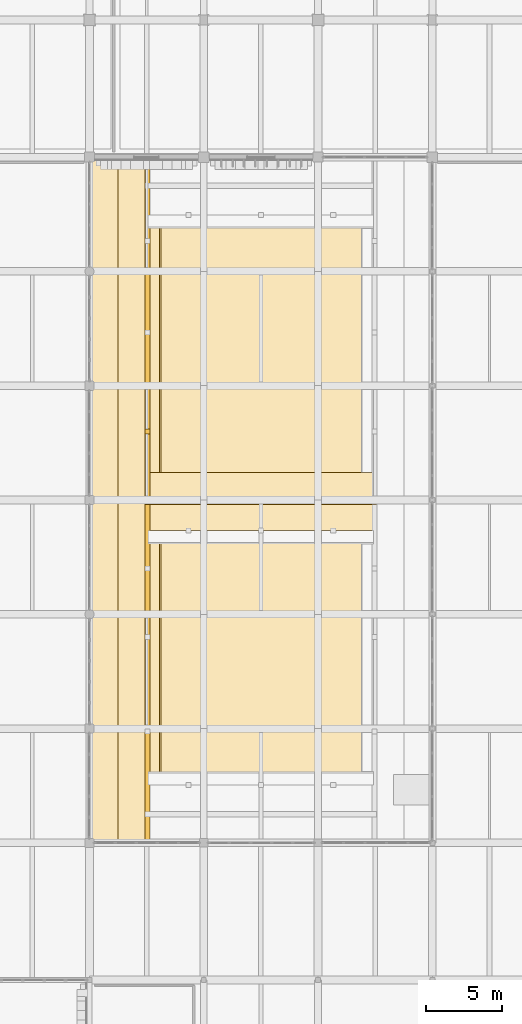
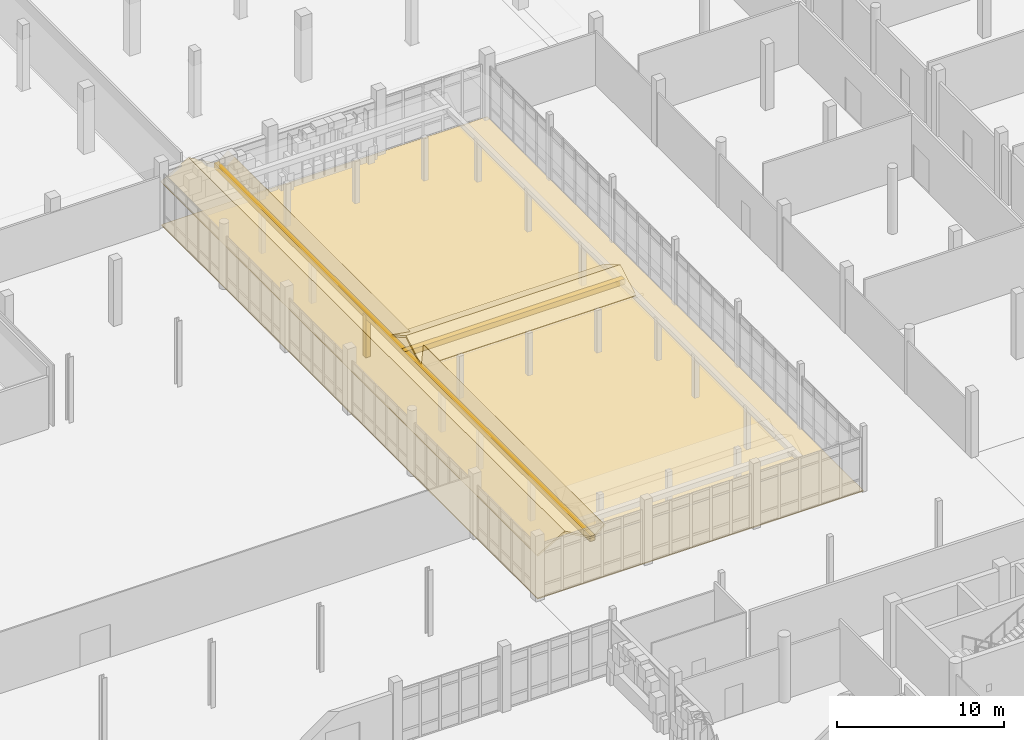
# One storey, part 108 of 125: 9 coverings.
"""IFC4 building model written with IfcOpenShell, lengths in metres."""

from ifc_helpers import new_model, si_unit, direction, frame, origin, origin_2d, place, context, subcontext, project, spatial, polyline, rectangle, outline, extrude, material, layer, layer_set, type_object, element, save


model = new_model("IFC4")

# Units and contexts
model_context = context("Model", 3, precision=1e-05, world=origin(), true_north=direction((0.0, 1.0)))
body_context = subcontext(model_context, "Body", "Model", "MODEL_VIEW")
ifc_project = project(units=[si_unit("LENGTHUNIT", "METRE"), si_unit("AREAUNIT", "SQUARE_METRE"), si_unit("VOLUMEUNIT", "CUBIC_METRE"), si_unit("PLANEANGLEUNIT", "RADIAN"), si_unit("MASSUNIT", "GRAM", prefix="KILO")], contexts=[model_context])

# Site, building, storey
site_placement = place(None, origin())
site = spatial("IfcSite", under=ifc_project, at=site_placement, CompositionType="ELEMENT")
building_placement = place(site_placement, origin())
building = spatial("IfcBuilding", under=site, at=building_placement, Name="Dalvernix Boulevard General Hospital", CompositionType="ELEMENT")
storey_placement = place(building_placement, origin())
storey = spatial("IfcBuildingStorey", under=building, at=storey_placement, Name="L00", CompositionType="ELEMENT", Elevation=0.0)

# Coverings
ifc_material_1 = material(Name="Permeable granite and clay boulevard paving", Category="masonry")
ifc_layer_1 = layer(ifc_material_1, 0.080078125)
ifc_layer_set_1 = layer_set([ifc_layer_1], Name="Permeable granite and clay boulevard paving (COV-PAV-01)")
covering_type_1 = type_object("IfcCoveringType", Name="COV-PAV-01", PredefinedType="USERDEFINED", material=ifc_layer_set_1)
covering_1_placement = place(storey_placement, frame((0.0, 0.0, -0.080078125)))
element("IfcCovering", 1, at=covering_1_placement, inside=storey, type_object=covering_type_1, Name="Exterior grade paving EAST-COURT", ObjectType="PAVING", PredefinedType="USERDEFINED", context=body_context, shape_type="SweptSolid", body=[
    extrude(outline(polyline([(112.5, 31.5), (135.0, 31.5), (135.0, 76.5), (112.5, 76.5), (112.5, 31.5)])), origin(), (0.0, 0.0, 1.0), 0.080078125),
])
ifc_material_2 = material(Name="Preservative-treated glulam GL28h cloister walkway post, beam and roof", Category="wood")
ifc_layer_2 = layer(ifc_material_2, 0.340087890625)
ifc_layer_set_2 = layer_set([ifc_layer_2], Name="Preservative-treated glulam GL28h cloister walkway post, beam and roof (COV-WKP-01)")
covering_type_2 = type_object("IfcCoveringType", Name="COV-WKP-01", PredefinedType="CLADDING", material=ifc_layer_set_2)
covering_2_placement = place(storey_placement, frame((116.300048828125, 54.0, 2.860107421875), z_axis=(0.0, 0.0, 1.0), x_axis=(1.0, 0.0, 0.0)))
element("IfcCovering", 2, at=covering_2_placement, inside=storey, type_object=covering_type_2, Name="ECOURT covered timber walkway eaves beam W", PredefinedType="CLADDING", context=body_context, shape_type="SweptSolid", body=[
    extrude(rectangle(XDim=0.340087890625, YDim=45.0, at=origin_2d()), origin(), (0.0, 0.0, 1.0), 0.3798828125),
])
covering_3_placement = place(storey_placement, frame((116.300048828125, 58.5, 0.0), z_axis=(0.0, 0.0, 1.0), x_axis=(1.0, 0.0, 0.0)))
element("IfcCovering", 3, at=covering_3_placement, inside=storey, type_object=covering_type_2, Name="ECOURT covered timber walkway post W-4", PredefinedType="CLADDING", context=body_context, shape_type="SweptSolid", body=[
    extrude(rectangle(XDim=0.340087890625, YDim=0.340087890625, at=origin_2d()), origin(), (0.0, 0.0, 1.0), 3.10009765625),
])
for number, where, z_axis, x_axis, name in (
    (4, (112.449951171875, 31.5, 3.14990234375), (-0.496162654506, 0.0, 0.86822958961), (0.86822958961, 0.0, 0.496162654506), "ECOURT covered timber walkway pitched roof W-1"),
    (5, (114.375, 31.5, 4.25), (0.496162654506, 0.0, 0.86822958961), (0.86822958961, 0.0, -0.496162654506), "ECOURT covered timber walkway pitched roof W-2"),
):
    element("IfcCovering", number, at=place(storey_placement, frame(where, z_axis=z_axis, x_axis=x_axis)), inside=storey, type_object=covering_type_2, Name=name, PredefinedType="CLADDING", context=body_context, shape_type="SweptSolid", body=[
        extrude(outline(polyline([(0.0, 0.0), (2.2172117273621343, 0.0), (2.2172117273621343, 45.0), (0.0, 45.0), (0.0, 0.0)])), origin(), (0.0, 0.0, -1.0), 0.1298828125),
    ])
covering_4_placement = place(storey_placement, frame((116.300048828125, 31.5, 3.14990234375), z_axis=(-0.630655032425, 0.0, 0.776063289995), x_axis=(0.776063289995, 0.0, 0.630655032425)))
element("IfcCovering", 6, at=covering_4_placement, inside=storey, type_object=covering_type_2, Name="ECOURT covered timber walkway pitched roof W-3", PredefinedType="CLADDING", context=body_context, shape_type="SweptSolid", body=[
    extrude(outline(polyline([(0.0, 0.0), (1.0309066778954137, 0.0), (1.0309066778954137, 45.0), (0.0, 45.0), (0.0, 0.0)])), origin(), (0.0, 0.0, -1.0), 0.1298828125),
])
covering_5_placement = place(storey_placement, frame((123.75, 53.89990234375, 2.860107421875), z_axis=(0.0, 0.0, 1.0), x_axis=(1.0, 0.0, 0.0)))
element("IfcCovering", 7, at=covering_5_placement, inside=storey, type_object=covering_type_2, Name="ECOURT covered timber walkway ridge beam MID", PredefinedType="CLADDING", context=body_context, shape_type="SweptSolid", body=[
    extrude(rectangle(XDim=15.199951171875, YDim=0.3798828125, at=origin_2d()), origin(), (0.0, 0.0, 1.0), 0.3798828125),
])
covering_6_placement = place(storey_placement, frame((116.35009765625, 52.0, 3.14990234375), z_axis=(0.0, -0.501088872721, 0.865395829453), x_axis=(1.0, 0.0, 0.0)))
element("IfcCovering", 8, at=covering_6_placement, inside=storey, type_object=covering_type_2, Name="ECOURT covered timber walkway pitched roof MID-1", PredefinedType="CLADDING", context=body_context, shape_type="SweptSolid", body=[
    extrude(outline(polyline([(0.0, 0.0), (14.7998046875, 0.0), (14.7998046875, 2.195414259103162), (0.0, 2.195414259103162), (0.0, 0.0)])), origin(), (0.0, 0.0, -1.0), 0.1298828125),
])
covering_7_placement = place(storey_placement, frame((116.35009765625, 53.89990234375, 4.25), z_axis=(0.0, 0.501040653706, 0.865423747845), x_axis=(1.0, 0.0, 0.0)))
element("IfcCovering", 9, at=covering_7_placement, inside=storey, type_object=covering_type_2, Name="ECOURT covered timber walkway pitched roof MID-2", PredefinedType="CLADDING", context=body_context, shape_type="SweptSolid", body=[
    extrude(outline(polyline([(0.0, 0.0), (14.7998046875, 0.0), (14.7998046875, 2.195625540790008), (0.0, 2.195625540790008), (0.0, 0.0)])), origin(), (0.0, 0.0, -1.0), 0.1298828125),
])

save(model, "model.ifc")
